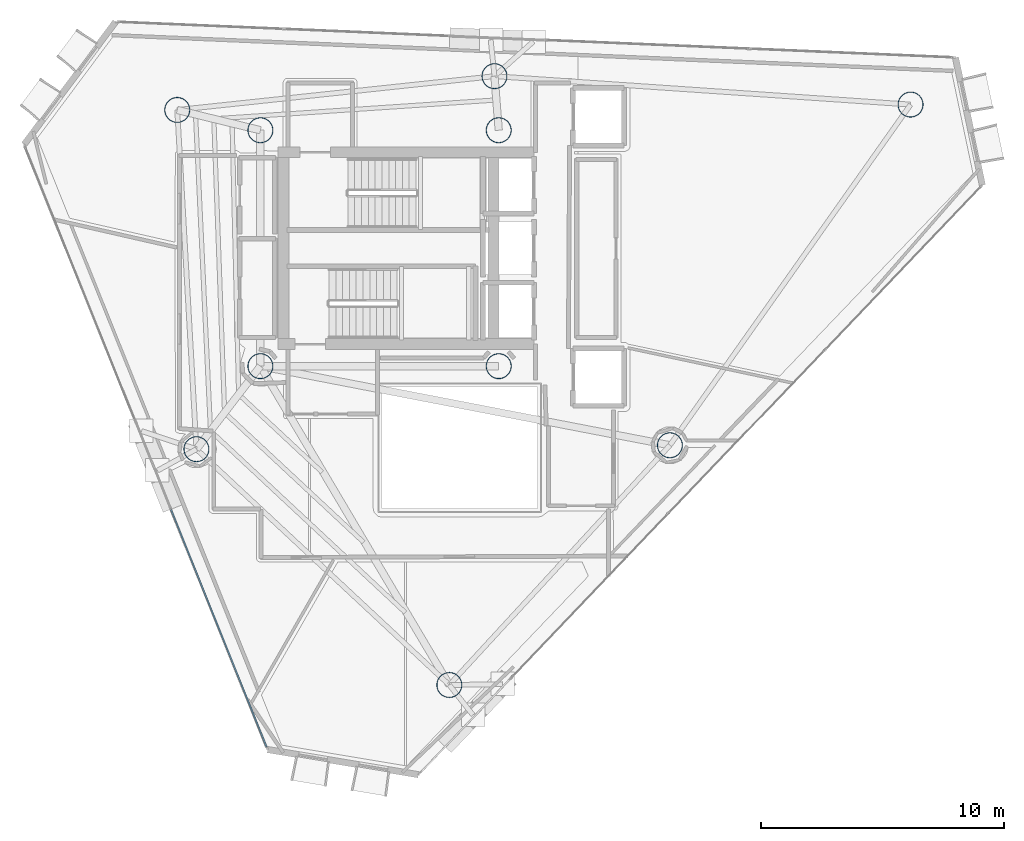
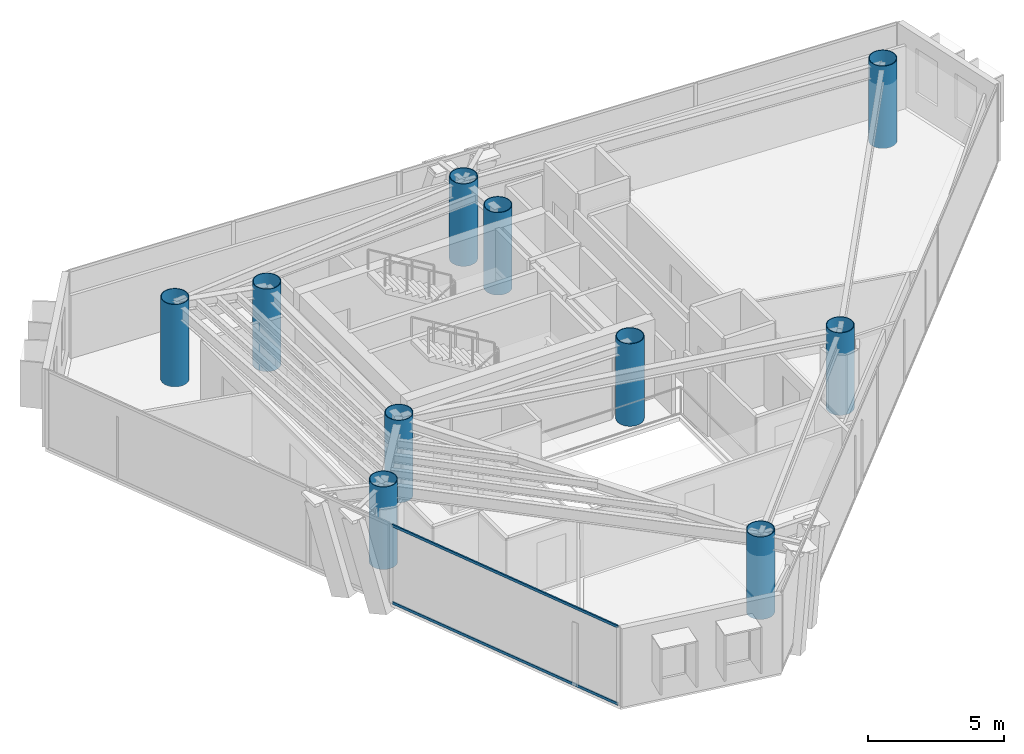
# One storey, part 1 of 21: 10 columns, 2 members, 1 element without a shape of its own.
"""IFC4 building model written with IfcOpenShell, lengths in metres."""

import ifcopenshell
import ifcopenshell.guid

model = None  # the IFC model being written
_history = None  # IfcOwnerHistory: only IFC2X3 demands one
_inside = {}  # id of a spatial element -> (the spatial element, [elements in it])
_under = {}  # id of a project, library or spatial element -> (it, [spatial elements below it])
_declared = {}  # id of a project -> (the project, [libraries it declares])
_typed = {}  # id of a type object -> (the type object, [elements of that type])
_made_of = {}  # id of a material, layer set ... -> (it, [elements and type objects made of it])


def new_model(schema):
    """Start an empty IFC model of exactly this schema.

    Asked for "IFC4X3", IfcOpenShell would pick the latest addendum, in which some entities
    have other attributes; the version numbers below select the first issue.
    IFC2X3 requires an IfcOwnerHistory on every rooted entity: one is made here for all.
    """
    global model, _history
    if schema == "IFC4X3":
        model = ifcopenshell.file(schema_version=(4, 3, 0, 0))
    else:
        model = ifcopenshell.file(schema=schema)
    _inside.clear()
    _under.clear()
    _declared.clear()
    _typed.clear()
    _made_of.clear()
    _history = None
    if model.schema == "IFC2X3":
        org = make("IfcOrganization", Name="unknown")
        user = make(
            "IfcPersonAndOrganization",
            ThePerson=make("IfcPerson", FamilyName="unknown"),
            TheOrganization=org,
        )
        app = make(
            "IfcApplication",
            ApplicationDeveloper=org,
            Version="unknown",
            ApplicationFullName="unknown",
            ApplicationIdentifier="unknown",
        )
        _history = make(
            "IfcOwnerHistory",
            OwningUser=user,
            OwningApplication=app,
            ChangeAction="ADDED",
            CreationDate=0,
        )
    return model


def make(cls, **values):
    """One entity of the class cls with the attributes given. An attribute that is None is left unset."""
    return model.create_entity(
        cls, **{name: value for name, value in values.items() if value is not None}
    )


def rooted(cls, **values):
    """An entity with a GlobalId (a new one), such as an element, a storey or a relation."""
    return make(cls, GlobalId=ifcopenshell.guid.new(), OwnerHistory=_history, **values)


def si_unit(unit_type, name, prefix=None):
    """IfcSIUnit, for example si_unit("LENGTHUNIT", "METRE", prefix="MILLI")."""
    return make("IfcSIUnit", UnitType=unit_type, Prefix=prefix, Name=name)


def assignment(units):
    """IfcUnitAssignment: the units of a project."""
    return None if units is None else make("IfcUnitAssignment", Units=units)


def point(xyz):
    """IfcCartesianPoint."""
    return None if xyz is None else make("IfcCartesianPoint", Coordinates=xyz)


def direction(xyz):
    """IfcDirection."""
    return None if xyz is None else make("IfcDirection", DirectionRatios=xyz)


def frame(location, z_axis=None, x_axis=None):
    """IfcAxis2Placement3D, a coordinate frame: its origin and axes. An axis left out is left unset."""
    return make(
        "IfcAxis2Placement3D",
        Location=point(location),
        Axis=direction(z_axis),
        RefDirection=direction(x_axis),
    )


def frame_2d(location, x_axis=None):
    """IfcAxis2Placement2D, a coordinate frame in the plane: its origin and x axis."""
    return make(
        "IfcAxis2Placement2D", Location=point(location), RefDirection=direction(x_axis)
    )


def origin():
    """The frame at (0, 0, 0) with its axes left unset."""
    return frame((0.0, 0.0, 0.0))


def origin_2d():
    """The frame at (0, 0) in the plane with its x axis left unset."""
    return frame_2d((0.0, 0.0))


def place(relative_to, where):
    """IfcLocalPlacement: puts the frame where relative to a parent placement (None: the world)."""
    return make(
        "IfcLocalPlacement", PlacementRelTo=relative_to, RelativePlacement=where
    )


def context(
    kind, dimensions, precision=None, world=None, true_north=None, identifier=None
):
    """IfcGeometricRepresentationContext, for example the 3D "Model" context."""
    return make(
        "IfcGeometricRepresentationContext",
        ContextIdentifier=identifier,
        ContextType=kind,
        CoordinateSpaceDimension=dimensions,
        Precision=precision,
        WorldCoordinateSystem=world,
        TrueNorth=true_north,
    )


def subcontext(parent, identifier, kind, view, scale=None):
    """IfcGeometricRepresentationSubContext, for example "Body" below "Model"."""
    return make(
        "IfcGeometricRepresentationSubContext",
        ContextIdentifier=identifier,
        ContextType=kind,
        ParentContext=parent,
        TargetScale=scale,
        TargetView=view,
    )


def project(units=None, contexts=None):
    """IfcProject with its units and contexts."""
    return rooted(
        "IfcProject",
        Name="project",
        RepresentationContexts=contexts,
        UnitsInContext=assignment(units),
    )


def spatial(cls, under=None, at=None, **own):
    """A site, building, storey or space (cls), placed at a placement, below another one or the project."""
    s = rooted(cls, ObjectPlacement=at, **own)
    if under is not None:
        _under.setdefault(under.id(), (under, []))[1].append(s)
    return s


def profile(cls, at=None, kind="AREA", **sizes):
    """A parametric profile (cls). Its sizes go by their IFC names, for example OverallWidth=200.0."""
    return make(cls, ProfileType=kind, Position=at, **sizes)


def hollow_rectangle(**sizes):
    """IfcRectangleHollowProfileDef."""
    return profile("IfcRectangleHollowProfileDef", **sizes)


def hollow_circle(**sizes):
    """IfcCircleHollowProfileDef."""
    return profile("IfcCircleHollowProfileDef", **sizes)


def extrude(swept, where, along, depth):
    """IfcExtrudedAreaSolid: the profile swept, set in the frame where, extruded along a direction by depth."""
    return make(
        "IfcExtrudedAreaSolid",
        SweptArea=swept,
        Position=where,
        ExtrudedDirection=direction(along),
        Depth=depth,
    )


def shape(context_of_items, identifier, shape_type, items):
    """IfcShapeRepresentation: the items that make up one representation, for example the "Body"."""
    return make(
        "IfcShapeRepresentation",
        ContextOfItems=context_of_items,
        RepresentationIdentifier=identifier,
        RepresentationType=shape_type,
        Items=items,
    )


def material(Name=None, Category=None):
    """IfcMaterial."""
    return make("IfcMaterial", Name=Name, Category=Category)


def layer(
    of_material, thickness, ventilated=None, Name=None, Category=None, Priority=None
):
    """IfcMaterialLayer: one layer of a wall or slab, of a material (None: an air gap)."""
    return make(
        "IfcMaterialLayer",
        Material=of_material,
        LayerThickness=thickness,
        IsVentilated=ventilated,
        Name=Name,
        Category=Category,
        Priority=Priority,
    )


def layer_set(layers, Name=None):
    """IfcMaterialLayerSet."""
    return make("IfcMaterialLayerSet", MaterialLayers=layers, LayerSetName=Name)


def material_profile(
    of_material, cross_section, Name=None, Category=None, Priority=None
):
    """IfcMaterialProfile: a cross section and its material."""
    return make(
        "IfcMaterialProfile",
        Name=Name,
        Material=of_material,
        Profile=cross_section,
        Priority=Priority,
        Category=Category,
    )


def profile_set(profiles, Name=None, composite=None):
    """IfcMaterialProfileSet."""
    return make(
        "IfcMaterialProfileSet",
        Name=Name,
        MaterialProfiles=profiles,
        CompositeProfile=composite,
    )


def made_of(thing, what):
    """Note that an element or type object is made of a material, layer set ...; save() writes the relation."""
    if what is not None:
        _made_of.setdefault(what.id(), (what, []))[1].append(thing)
    return thing


def type_object(cls, material=None, **own):
    """A type object (cls), such as IfcWallType, which elements share."""
    return made_of(rooted(cls, **own), material)


def element(
    cls,
    number,
    at=None,
    inside=None,
    cuts=None,
    type_object=None,
    material=None,
    context=None,
    identifier="Body",
    shape_type=None,
    held_by="IfcProductDefinitionShape",
    body=None,
    shapes=None,
    **own,
):
    """One element of the class cls, such as IfcWall. Its Tag is "e" and its number.

    at: its placement. inside: the storey or other place that contains it. cuts: it is an
    opening in that element (IfcRelVoidsElement). A single representation is given by context,
    identifier, shape_type and body (its items); several are given by shapes. held_by: the class
    of the entity that holds the representations. save() writes the other relations.
    """
    e = rooted(cls, Tag="e%d" % number, ObjectPlacement=at, **own)
    if body is not None:
        shapes = [shape(context, identifier, shape_type, body)]
    if shapes is not None:
        e.Representation = make(held_by, Representations=shapes)
    if inside is not None:
        _inside.setdefault(inside.id(), (inside, []))[1].append(e)
    if cuts is not None:
        rooted(
            "IfcRelVoidsElement", RelatingBuildingElement=cuts, RelatedOpeningElement=e
        )
    if type_object is not None:
        _typed.setdefault(type_object.id(), (type_object, []))[1].append(e)
    return made_of(e, material)


def aggregate(whole, parts):
    """IfcRelAggregates: a whole, such as a stair, and the parts it consists of."""
    return rooted("IfcRelAggregates", RelatingObject=whole, RelatedObjects=parts)


def save(model, path):
    """Write the relations noted so far, then the file.

    IfcRelAggregates (storeys below a building ...), IfcRelContainedInSpatialStructure (elements
    in a storey), IfcRelDefinesByType, IfcRelAssociatesMaterial and IfcRelDeclares: one each for
    every whole, place, type object, material and project.
    """
    for whole, parts in _under.values():
        aggregate(whole, parts)
    for where, things in _inside.values():
        rooted(
            "IfcRelContainedInSpatialStructure",
            RelatedElements=things,
            RelatingStructure=where,
        )
    for kind, things in _typed.values():
        rooted("IfcRelDefinesByType", RelatedObjects=things, RelatingType=kind)
    for what, things in _made_of.values():
        rooted("IfcRelAssociatesMaterial", RelatedObjects=things, RelatingMaterial=what)
    for by, libraries in _declared.values():
        rooted("IfcRelDeclares", RelatingContext=by, RelatedDefinitions=libraries)
    model.write(path)


model = new_model("IFC4")

# Units and contexts
model_context = context("Model", 3, precision=1e-05, world=origin(), true_north=direction((0.0, 1.0)))
body_context = subcontext(model_context, "Body", "Model", "MODEL_VIEW")
ifc_project = project(units=[si_unit("LENGTHUNIT", "METRE"), si_unit("AREAUNIT", "SQUARE_METRE"), si_unit("VOLUMEUNIT", "CUBIC_METRE"), si_unit("PLANEANGLEUNIT", "RADIAN"), si_unit("MASSUNIT", "GRAM", prefix="KILO")], contexts=[model_context])

# Site, building, storey
site_placement = place(None, origin())
site = spatial("IfcSite", under=ifc_project, at=site_placement, CompositionType="ELEMENT")
building_placement = place(site_placement, origin())
building = spatial("IfcBuilding", under=site, at=building_placement, Name="Qianvela Tower", CompositionType="ELEMENT")
storey_placement = place(building_placement, frame((0.0, 0.0, 242.699951171875)))
storey = spatial("IfcBuildingStorey", under=building, at=storey_placement, Name="L62", CompositionType="ELEMENT", Elevation=242.699951171875)

# Columns
ifc_material_1 = material(Name="Steel Q420GJC", Category="steel")
ifc_material_profile_1 = material_profile(ifc_material_1, hollow_circle(Radius=0.52490234375, WallThickness=0.028076171875, at=origin_2d()), Name="CFT-1050x28")
ifc_profile_set_1 = profile_set([ifc_material_profile_1], Name="Steel Q420GJC")
column_type = type_object("IfcColumnType", Name="COL-CFT-1050x28", PredefinedType="COLUMN", material=ifc_profile_set_1)
for number, where, z_axis, x_axis, name in (
    (1, (28.60009765625, 33.550048828125, 0.0), (0.0, 0.0, 1.0), (1.0, 0.0, 0.0), "L62 Core Corner Mega-Column CC-NW"),
    (2, (28.60009765625, 23.85009765625, 0.0), (0.0, 0.0, 1.0), (1.0, 0.0, 0.0), "L62 Core Corner Mega-Column CC-SW"),
    (3, (38.39990234375, 33.550048828125, 0.0), (0.0, 0.0, 1.0), (1.0, 0.0, 0.0), "L62 Core Corner Mega-Column CC-NE"),
    (4, (38.39990234375, 23.85009765625, 0.0), (0.0, 0.0, 1.0), (1.0, 0.0, 0.0), "L62 Core Corner Mega-Column CC-SE"),
    (5, (55.33203125, 34.60498046875, 0.0), (0.0, 0.0, 1.0), (1.0, 0.0, 0.0), "L62 Zone Z6 CFT Mega-Column C1"),
    (6, (38.22509765625, 35.77294921875, 0.0), (0.0, 0.0, 1.0), (1.0, 0.0, 0.0), "L62 Zone Z6 CFT Mega-Column C2"),
    (7, (25.181884765625, 34.384033203125, 0.0), (0.0, 0.0, 1.0), (1.0, 0.0, 0.0), "L62 Zone Z6 CFT Mega-Column C3"),
    (8, (25.971923828125, 20.43701171875, 0.0), (0.0, 0.0, 1.0), (1.0, 0.0, 0.0), "L62 Zone Z6 CFT Mega-Column C4"),
    (9, (36.368896484375, 10.741943359375, 0.0), (0.0, 0.0, 1.0), (1.0, 0.0, 0.0), "L62 Zone Z6 CFT Mega-Column C5"),
    (10, (45.43603515625, 20.597900390625, 0.0), (0.0, 0.0, 1.0), (1.0, 0.0, 0.0), "L62 Zone Z6 CFT Mega-Column C6"),
):
    element("IfcColumn", number, at=place(storey_placement, frame(where, z_axis=z_axis, x_axis=x_axis)), inside=storey, type_object=column_type, Name=name, PredefinedType="COLUMN", context=body_context, shape_type="SweptSolid", body=[
        extrude(hollow_circle(Radius=0.52490234375, WallThickness=0.028076171875, at=origin_2d()), origin(), (0.0, 0.0, 1.0), 3.699951171875),
    ])

# Curtain wall, members
ifc_material_2 = material(Name="Anodised Architectural Aluminium and Low-E Glass", Category="aluminium")
ifc_layer = layer(ifc_material_2, 0.159912109375)
ifc_layer_set = layer_set([ifc_layer], Name="Anodised Architectural Aluminium and Low-E Glass")
curtain_wall_type = type_object("IfcCurtainWallType", Name="CW-COLIV-Z56", PredefinedType="USERDEFINED", material=ifc_layer_set)
curtain_wall_placement = place(storey_placement, origin())
curtain_wall = element("IfcCurtainWall", 11, at=curtain_wall_placement, inside=storey, type_object=curtain_wall_type, Name="L62 CW-COLIV-Z56 Curtain Wall 04C", ObjectType="CURTAIN_WALL_SYSTEM", PredefinedType="USERDEFINED")
ifc_material_3 = material(Name="Anodised Architectural Aluminium 6063-T6", Category="aluminium")
ifc_material_profile_2 = material_profile(ifc_material_3, hollow_rectangle(XDim=0.06005859375, YDim=0.114990234375, WallThickness=0.00390625, at=origin_2d()), Name="ALU-TRAN-60x115")
ifc_profile_set_2 = profile_set([ifc_material_profile_2], Name="Anodised Architectural Aluminium 6063-T6")
member_type = type_object("IfcMemberType", Name="CW-COLIV-Z56-TRAN", PredefinedType="USERDEFINED", material=ifc_profile_set_2)
member_1_placement = place(storey_placement, frame((24.92529296875, 17.9599609375, 0.030029296875), z_axis=(0.373312452831, -0.9277056713, 0.0), x_axis=(0.9277056713, 0.373312452831, 0.0)))
member_1 = element("IfcMember", 12, at=member_1_placement, type_object=member_type, Name="CW-5 transom 1.1", ObjectType="TRANSOM", PredefinedType="USERDEFINED", context=body_context, shape_type="SweptSolid", body=[
    extrude(hollow_rectangle(XDim=0.06005859375, YDim=0.114990234375, WallThickness=0.00390625, at=origin_2d()), origin(), (0.0, 0.0, 1.0), 10.531005859375),
])
member_2_placement = place(storey_placement, frame((24.92529296875, 17.9599609375, 3.489990234375), z_axis=(0.373312452831, -0.9277056713, 0.0), x_axis=(0.9277056713, 0.373312452831, 0.0)))
member_2 = element("IfcMember", 13, at=member_2_placement, type_object=member_type, Name="CW-5 transom 1.2", ObjectType="TRANSOM", PredefinedType="USERDEFINED", context=body_context, shape_type="SweptSolid", body=[
    extrude(hollow_rectangle(XDim=0.06005859375, YDim=0.114990234375, WallThickness=0.00390625, at=origin_2d()), origin(), (0.0, 0.0, 1.0), 10.531005859375),
])
aggregate(curtain_wall, [member_1, member_2])

save(model, "model.ifc")
